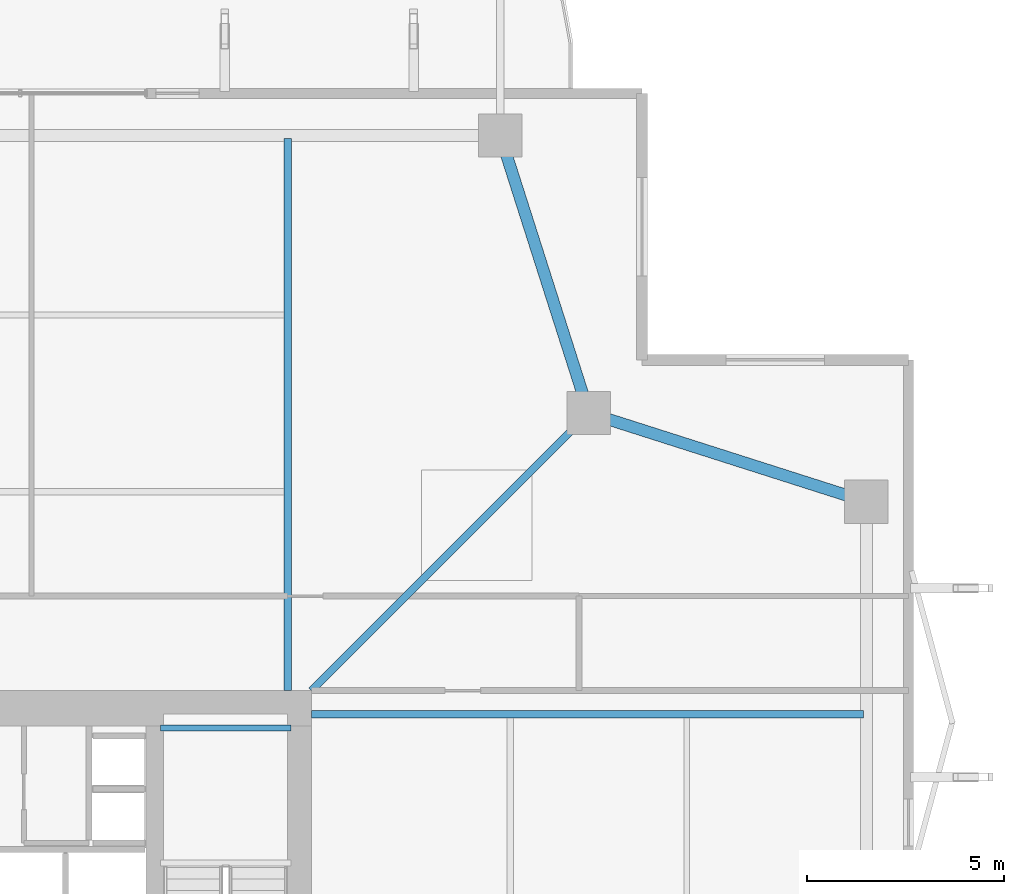
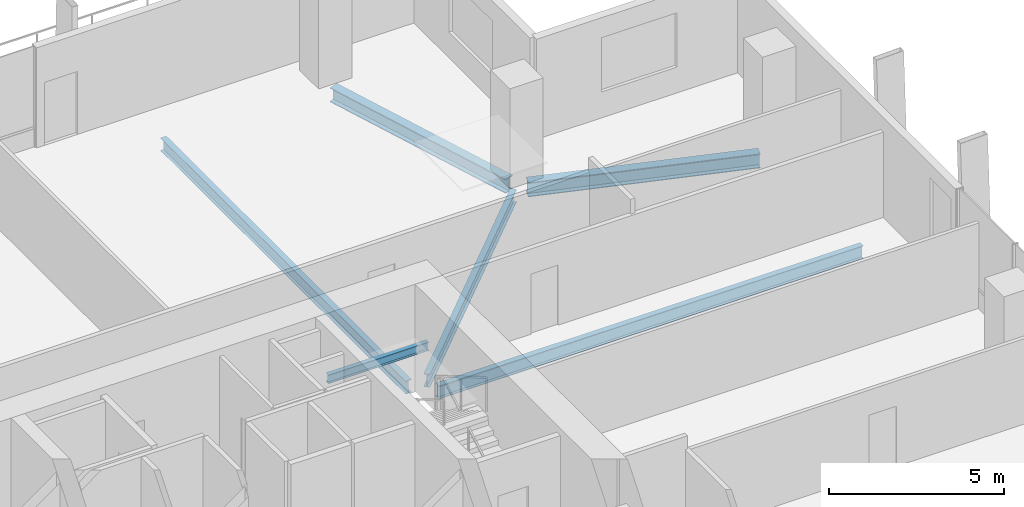
# One storey, part 15 of 25: 6 beams.
"""IFC4 building model written with IfcOpenShell, lengths in metres."""

from ifc_helpers import new_model, si_unit, direction, frame, origin, origin_2d, place, context, subcontext, project, spatial, i_section, extrude, material, material_profile, profile_set, type_object, element, save


model = new_model("IFC4")

# Units and contexts
model_context = context("Model", 3, precision=1e-05, world=origin(), true_north=direction((0.0, 1.0)))
body_context = subcontext(model_context, "Body", "Model", "MODEL_VIEW")
ifc_project = project(units=[si_unit("LENGTHUNIT", "METRE"), si_unit("AREAUNIT", "SQUARE_METRE"), si_unit("VOLUMEUNIT", "CUBIC_METRE"), si_unit("PLANEANGLEUNIT", "RADIAN"), si_unit("MASSUNIT", "GRAM", prefix="KILO")], contexts=[model_context])

# Site, building, storey
site_placement = place(None, origin())
site = spatial("IfcSite", under=ifc_project, at=site_placement, CompositionType="ELEMENT")
building_placement = place(site_placement, origin())
building = spatial("IfcBuilding", under=site, at=building_placement, Name="Belovzor Exchange Tower", CompositionType="ELEMENT")
storey_placement = place(building_placement, frame((0.0, 0.0, 149.550048828125)))
storey = spatial("IfcBuildingStorey", under=building, at=storey_placement, Name="L36", CompositionType="ELEMENT", Elevation=149.550048828125)

# Beams
ifc_material_1 = material(Name="Steel S355", Category="steel")
ifc_material_profile_1 = material_profile(ifc_material_1, i_section(OverallWidth=0.14990234375, OverallDepth=0.300048828125, WebThickness=0.007080078125, FlangeThickness=0.0107421875, at=origin_2d()))
ifc_profile_set_1 = profile_set([ifc_material_profile_1], Name="Steel S355")
beam_type_1 = type_object("IfcBeamType", Name="Secondary Trim Floor Joist IPE 300", PredefinedType="BEAM", material=ifc_profile_set_1)
beam_1_placement = place(storey_placement, frame((37.280029296875, 36.85009765625, 1.52490234375), z_axis=(-1.0, 0.0, 0.0), x_axis=(0.0, -1.0, 0.0)))
element("IfcBeam", 1, at=beam_1_placement, inside=storey, type_object=beam_type_1, Name="FJ-300 Secondary Trim Floor Joist IPE 300", PredefinedType="BEAM", context=body_context, shape_type="SweptSolid", body=[
    extrude(i_section(OverallWidth=0.14990234375, OverallDepth=0.300048828125, WebThickness=0.007080078125, FlangeThickness=0.0107421875, at=origin_2d()), origin(), (0.0, 0.0, 1.0), 3.31005859375),
])
ifc_material_2 = material(Name="Steel S355", Category="steel")
ifc_material_profile_2 = material_profile(ifc_material_2, i_section(OverallWidth=0.18994140625, OverallDepth=0.449951171875, WebThickness=0.009521484375, FlangeThickness=0.0146484375, at=origin_2d()))
ifc_profile_set_2 = profile_set([ifc_material_profile_2], Name="Steel S355")
beam_type_2 = type_object("IfcBeamType", Name="Zone 2-4 Radial Composite Floor Beam IPE 450", PredefinedType="BEAM", material=ifc_profile_set_2)
for number, where, z_axis, x_axis, name in (
    (2, (37.199951171875, 37.800048828125, -0.47998046875), (0.0, 1.0, 0.0), (-1.0, 0.0, 0.0), "FB-450 Zone 2-4 Radial Composite Floor Beam IPE 450"),
    (3, (37.800048828125, 37.199951171875, -0.47998046875), (1.0, 0.0, 0.0), (0.0, 1.0, 0.0), "FB-450 Zone 2-4 Radial Composite Floor Beam IPE 450"),
):
    element("IfcBeam", number, at=place(storey_placement, frame(where, z_axis=z_axis, x_axis=x_axis)), inside=storey, type_object=beam_type_2, Name=name, PredefinedType="BEAM", context=body_context, shape_type="SweptSolid", body=[
        extrude(i_section(OverallWidth=0.18994140625, OverallDepth=0.449951171875, WebThickness=0.009521484375, FlangeThickness=0.0146484375, at=origin_2d()), origin(), (0.0, 0.0, 1.0), 14.02490234375),
    ])
beam_2_placement = place(storey_placement, frame((37.800048828125, 37.800048828125, -0.47998046875), z_axis=(0.707106781187, 0.707106781187, 0.0), x_axis=(-0.707106781187, 0.707106781187, 0.0)))
element("IfcBeam", 4, at=beam_2_placement, inside=storey, type_object=beam_type_2, Name="FB-450 Zone 2-4 Radial Composite Floor Beam IPE 450", PredefinedType="BEAM", context=body_context, shape_type="SweptSolid", body=[
    extrude(i_section(OverallWidth=0.18994140625, OverallDepth=0.449951171875, WebThickness=0.009521484375, FlangeThickness=0.0146484375, at=origin_2d()), origin(), (0.0, 0.0, 1.0), 9.5810546875),
])
ifc_material_3 = material(Name="Steel S355", Category="steel")
ifc_material_profile_3 = material_profile(ifc_material_3, i_section(OverallWidth=0.300048828125, OverallDepth=0.5, WebThickness=0.014404296875, FlangeThickness=0.028076171875, at=origin_2d()))
ifc_profile_set_3 = profile_set([ifc_material_profile_3], Name="Steel S355")
beam_type_3 = type_object("IfcBeamType", Name="Zone 3 Waist Primary Girder HEB 500", PredefinedType="BEAM", material=ifc_profile_set_3)
for number, where, z_axis, x_axis, name in (
    (5, (51.612060546875, 42.69189453125, -0.505126953125), (-0.952661203756, 0.304033930439, 0.0), (-0.304033930439, -0.952661203756, 0.0), "FG-Z3 Zone 3 Waist Primary Girder HEB 500"),
    (6, (44.758056640625, 45.137939453125, -0.505126953125), (-0.304033930439, 0.952661203756, 0.0), (-0.952661203756, -0.304033930439, 0.0), "FG-Z3 Zone 3 Waist Primary Girder HEB 500"),
):
    element("IfcBeam", number, at=place(storey_placement, frame(where, z_axis=z_axis, x_axis=x_axis)), inside=storey, type_object=beam_type_3, Name=name, PredefinedType="BEAM", context=body_context, shape_type="SweptSolid", body=[
        extrude(i_section(OverallWidth=0.300048828125, OverallDepth=0.5, WebThickness=0.014404296875, FlangeThickness=0.028076171875, at=origin_2d()), origin(), (0.0, 0.0, 1.0), 6.7958984375),
    ])

save(model, "model.ifc")
